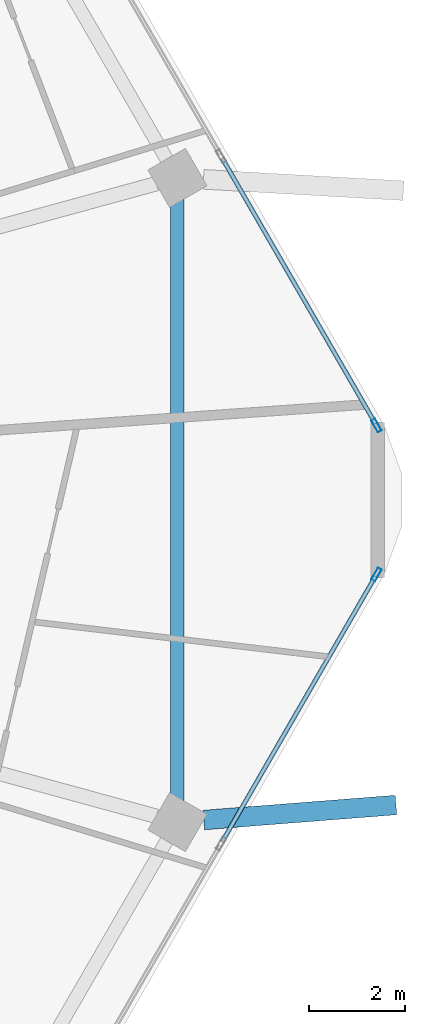
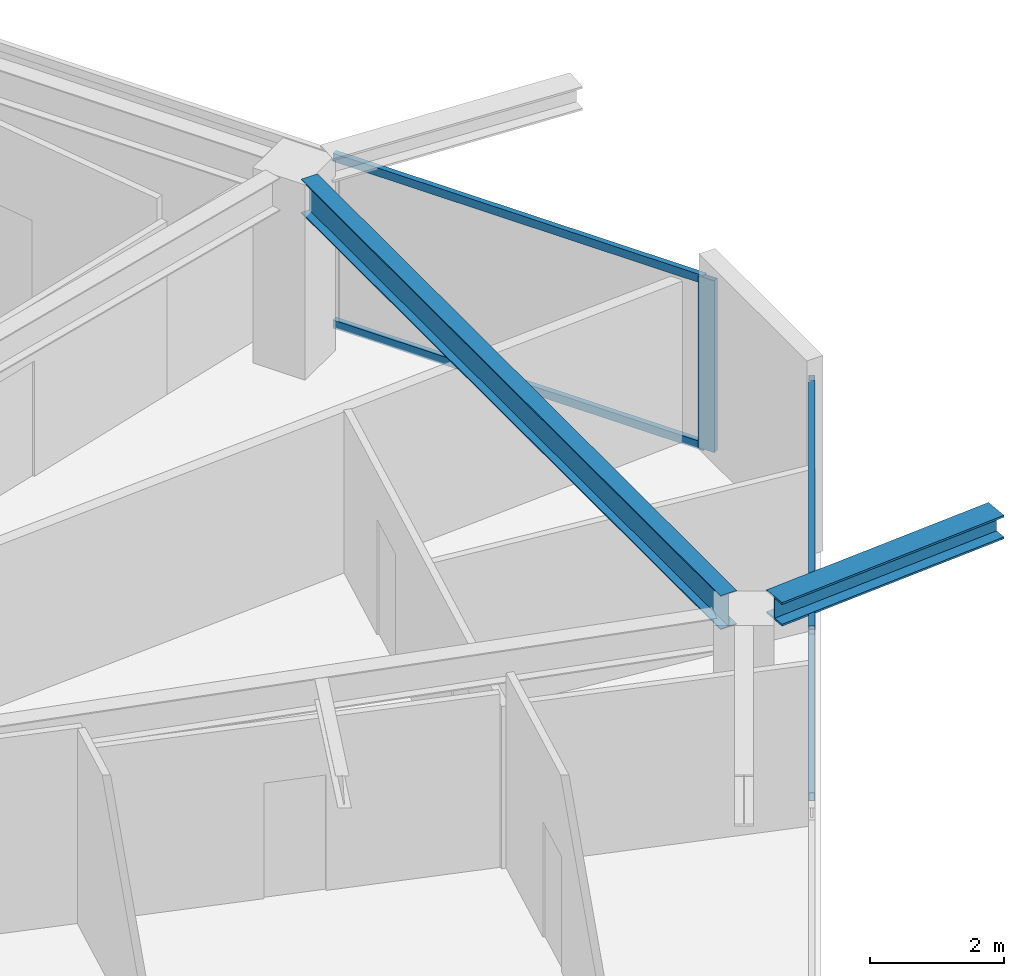
# One storey, part 10 of 26: 6 members, 2 beams, 2 elements without a shape of their own.
"""IFC4 building model written with IfcOpenShell, lengths in metres."""

from ifc_helpers import new_model, si_unit, direction, frame, origin, origin_2d, place, context, subcontext, project, spatial, hollow_rectangle, i_section, extrude, material, material_profile, profile_set, type_object, element, aggregate, save


model = new_model("IFC4")

# Units and contexts
model_context = context("Model", 3, precision=1e-05, world=origin(), true_north=direction((0.0, 1.0)))
body_context = subcontext(model_context, "Body", "Model", "MODEL_VIEW")
ifc_project = project(units=[si_unit("LENGTHUNIT", "METRE"), si_unit("AREAUNIT", "SQUARE_METRE"), si_unit("VOLUMEUNIT", "CUBIC_METRE"), si_unit("PLANEANGLEUNIT", "RADIAN"), si_unit("MASSUNIT", "GRAM", prefix="KILO")], contexts=[model_context])

# Site, building, storey
site_placement = place(None, origin())
site = spatial("IfcSite", under=ifc_project, at=site_placement, CompositionType="ELEMENT")
building_placement = place(site_placement, origin())
building = spatial("IfcBuilding", under=site, at=building_placement, Name="Zuhravey Tower", CompositionType="ELEMENT")
storey_placement = place(building_placement, frame((0.0, 0.0, 242.60009765625)))
storey = spatial("IfcBuildingStorey", under=building, at=storey_placement, Name="L61", CompositionType="ELEMENT", Elevation=242.60009765625)

# Curtain wall, member
ifc_material_1 = material(Name="Thermally broken anodised aluminium", Category="aluminium")
curtain_wall_type = type_object("IfcCurtainWallType", Name="Zone 3-4 High-Rise Curtain Wall CW4", PredefinedType="NOTDEFINED", material=ifc_material_1)
curtain_wall_1_placement = place(storey_placement, origin())
curtain_wall_1 = element("IfcCurtainWall", 1, at=curtain_wall_1_placement, inside=storey, type_object=curtain_wall_type, Name="L61 CW4 CW-L61-F6-1", PredefinedType="NOTDEFINED")
ifc_material_2 = material(Name="Anodised aluminium", Category="aluminium")
ifc_material_profile_1 = material_profile(ifc_material_2, hollow_rectangle(XDim=0.090087890625, YDim=0.284912109375, WallThickness=0.0048828125, at=origin_2d()), Name="ALU-RHS-90x285x5")
ifc_profile_set_1 = profile_set([ifc_material_profile_1], Name="Anodised aluminium")
member_type_1 = type_object("IfcMemberType", Name="Curtain-Wall Mullion 90x180", PredefinedType="MULLION", material=ifc_profile_set_1)
member_1_placement = place(storey_placement, frame((64.62255859375, 30.448486328125, 0.0), z_axis=(0.0, 0.0, 1.0), x_axis=(0.866024851021, -0.500000957414, 0.0)))
member_1 = element("IfcMember", 2, at=member_1_placement, type_object=member_type_1, Name="CW4 mullion 1", PredefinedType="MULLION", context=body_context, shape_type="SweptSolid", body=[
    extrude(hollow_rectangle(XDim=0.090087890625, YDim=0.284912109375, WallThickness=0.0048828125, at=origin_2d()), origin(), (0.0, 0.0, 1.0), 3.121826171875),
])

curtain_wall_2_placement = place(storey_placement, origin())
curtain_wall_2 = element("IfcCurtainWall", 3, at=curtain_wall_2_placement, inside=storey, type_object=curtain_wall_type, Name="L61 CW4 CW-L61-F1-1", PredefinedType="NOTDEFINED")
member_2_placement = place(storey_placement, frame((64.62255859375, 33.551513671875, 0.0), z_axis=(0.0, 0.0, 1.0), x_axis=(0.866024851021, 0.500000957414, 0.0)))
member_2 = element("IfcMember", 4, at=member_2_placement, type_object=member_type_1, Name="CW4 mullion 5", PredefinedType="MULLION", context=body_context, shape_type="SweptSolid", body=[
    extrude(hollow_rectangle(XDim=0.090087890625, YDim=0.284912109375, WallThickness=0.0048828125, at=origin_2d()), origin(), (0.0, 0.0, 1.0), 3.121826171875),
])

# Member
ifc_material_profile_2 = material_profile(ifc_material_2, hollow_rectangle(XDim=0.090087890625, YDim=0.14990234375, WallThickness=0.0048828125, at=origin_2d()), Name="ALU-RHS-90x150x5")
ifc_profile_set_2 = profile_set([ifc_material_profile_2], Name="Anodised aluminium")
member_type_2 = type_object("IfcMemberType", Name="Curtain-Wall Transom 90x150", PredefinedType="USERDEFINED", material=ifc_profile_set_2)
member_3_placement = place(storey_placement, frame((64.60009765625, 30.40966796875, 0.044921875), z_axis=(-0.500008810174, -0.866020317169, 0.0), x_axis=(0.866020317169, -0.500008810174, 0.0)))
member_3 = element("IfcMember", 5, at=member_3_placement, type_object=member_type_2, Name="CW4 transom 1.1", ObjectType="TRANSOM", PredefinedType="USERDEFINED", context=body_context, shape_type="SweptSolid", body=[
    extrude(hollow_rectangle(XDim=0.090087890625, YDim=0.14990234375, WallThickness=0.0048828125, at=origin_2d()), origin(), (0.0, 0.0, 1.0), 6.37158203125),
])

member_4_placement = place(storey_placement, frame((64.60009765625, 30.40966796875, 3.076904296875), z_axis=(-0.500008810174, -0.866020317169, 0.0), x_axis=(0.866020317169, -0.500008810174, 0.0)))
member_4 = element("IfcMember", 6, at=member_4_placement, type_object=member_type_2, Name="CW4 transom 1.2", ObjectType="TRANSOM", PredefinedType="USERDEFINED", context=body_context, shape_type="SweptSolid", body=[
    extrude(hollow_rectangle(XDim=0.090087890625, YDim=0.14990234375, WallThickness=0.0048828125, at=origin_2d()), origin(), (0.0, 0.0, 1.0), 6.37158203125),
])

aggregate(curtain_wall_1, [member_1, member_3, member_4])

member_5_placement = place(storey_placement, frame((61.414306640625, 39.108154296875, 0.044921875), z_axis=(0.500008810174, -0.866020317169, 0.0), x_axis=(0.866020317169, 0.500008810174, 0.0)))
member_5 = element("IfcMember", 7, at=member_5_placement, type_object=member_type_2, Name="CW4 transom 4.1", ObjectType="TRANSOM", PredefinedType="USERDEFINED", context=body_context, shape_type="SweptSolid", body=[
    extrude(hollow_rectangle(XDim=0.090087890625, YDim=0.14990234375, WallThickness=0.0048828125, at=origin_2d()), origin(), (0.0, 0.0, 1.0), 6.37158203125),
])

member_6_placement = place(storey_placement, frame((61.414306640625, 39.108154296875, 3.076904296875), z_axis=(0.500008810174, -0.866020317169, 0.0), x_axis=(0.866020317169, 0.500008810174, 0.0)))
member_6 = element("IfcMember", 8, at=member_6_placement, type_object=member_type_2, Name="CW4 transom 4.2", ObjectType="TRANSOM", PredefinedType="USERDEFINED", context=body_context, shape_type="SweptSolid", body=[
    extrude(hollow_rectangle(XDim=0.090087890625, YDim=0.14990234375, WallThickness=0.0048828125, at=origin_2d()), origin(), (0.0, 0.0, 1.0), 6.37158203125),
])

aggregate(curtain_wall_2, [member_2, member_5, member_6])

# Beams
ifc_material_3 = material(Name="Steel SM460", Category="steel")
ifc_material_profile_3 = material_profile(ifc_material_3, i_section(OverallWidth=0.406982421875, OverallDepth=0.427978515625, WebThickness=0.02001953125, FlangeThickness=0.034912109375, at=origin_2d()), Name="H-428x407x20x35")
ifc_profile_set_3 = profile_set([ifc_material_profile_3], Name="Steel SM460")
beam_type_1 = type_object("IfcBeamType", Name="Exoskeleton Node Tie Beam H428x407", PredefinedType="BEAM", material=ifc_profile_set_3)
beam_1_placement = place(storey_placement, frame((61.03271484375, 25.343994140625, 3.3359375), z_axis=(0.996960589137, 0.077907533055, 0.0), x_axis=(-0.077907533055, 0.996960589137, 0.0)))
element("IfcBeam", 9, at=beam_1_placement, inside=storey, type_object=beam_type_1, Name="L61 Exoskeleton Node Tie NT1-12", PredefinedType="BEAM", context=body_context, shape_type="SweptSolid", body=[
    extrude(i_section(OverallWidth=0.406982421875, OverallDepth=0.427978515625, WebThickness=0.02001953125, FlangeThickness=0.034912109375, at=origin_2d()), origin(), (0.0, 0.0, 1.0), 4.008056640625),
])
ifc_material_4 = material(Name="Steel SM355", Category="steel")
ifc_material_profile_4 = material_profile(ifc_material_4, i_section(OverallWidth=0.280029296875, OverallDepth=0.6201171875, WebThickness=0.011962890625, FlangeThickness=0.02001953125, at=origin_2d()), Name="H-620x280x12x20")
ifc_profile_set_4 = profile_set([ifc_material_profile_4], Name="Steel SM355")
beam_type_2 = type_object("IfcBeamType", Name="Perimeter Ring Beam H620x280", PredefinedType="BEAM", material=ifc_profile_set_4)
beam_2_placement = place(storey_placement, frame((60.484619140625, 25.754150390625, 3.239990234375), z_axis=(0.0, 1.0, 0.0), x_axis=(-1.0, 0.0, 0.0)))
element("IfcBeam", 10, at=beam_2_placement, inside=storey, type_object=beam_type_2, Name="L61 PB3 BM-L61-PB-12", PredefinedType="BEAM", context=body_context, shape_type="SweptSolid", body=[
    extrude(i_section(OverallWidth=0.280029296875, OverallDepth=0.6201171875, WebThickness=0.011962890625, FlangeThickness=0.02001953125, at=origin_2d()), origin(), (0.0, 0.0, 1.0), 12.49169921875),
])

save(model, "model.ifc")
